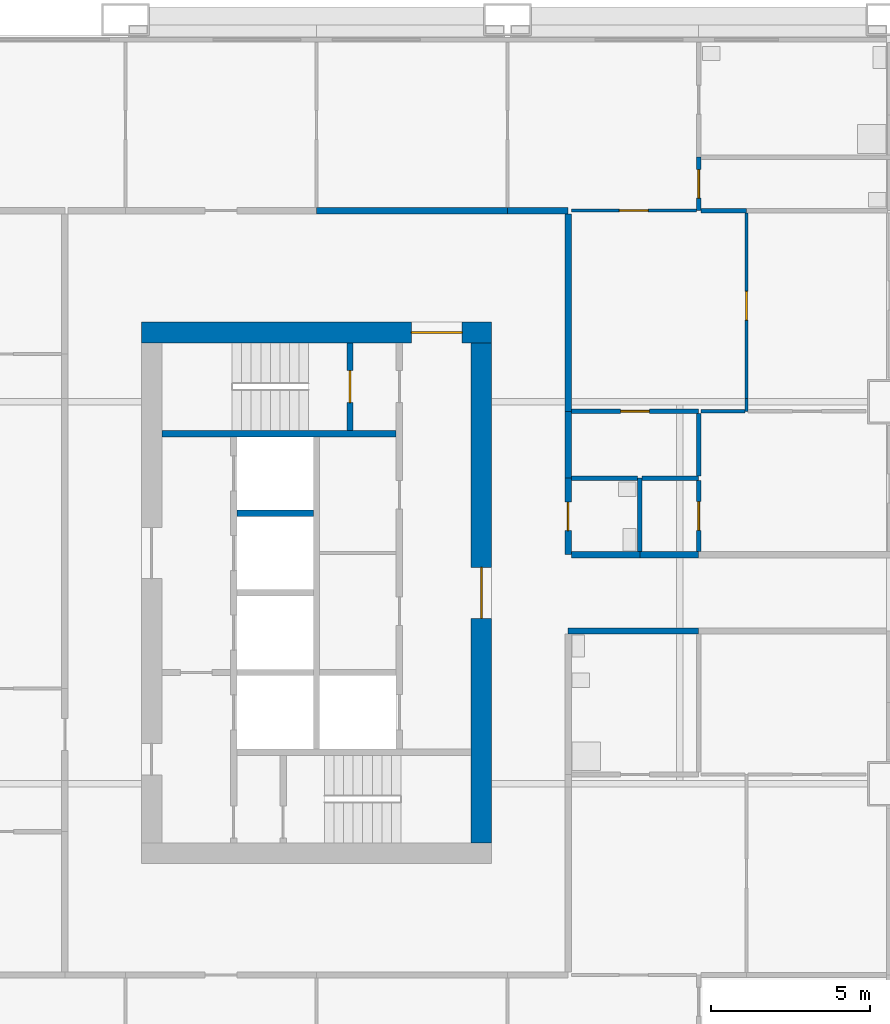
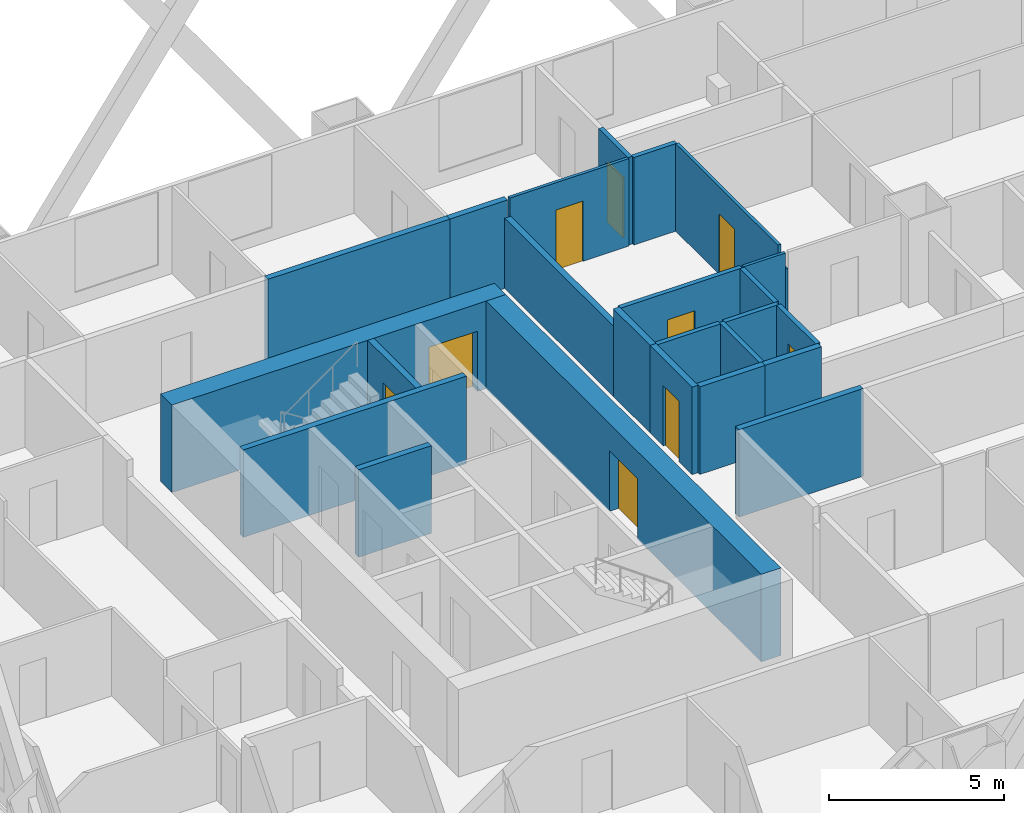
# One storey, part 4 of 11: 25 walls, 9 doors, 9 openings.
"""IFC4 building model written with IfcOpenShell, lengths in metres."""

from ifc_helpers import new_model, si_unit, direction, frame, frame_2d, origin, place, context, subcontext, project, spatial, rectangle, extrude, material, layer, layer_set, type_object, element, fill, save


model = new_model("IFC4")

# Units and contexts
model_context = context("Model", 3, precision=1e-05, world=origin(), true_north=direction((0.0, 1.0)))
body_context = subcontext(model_context, "Body", "Model", "MODEL_VIEW")
ifc_project = project(units=[si_unit("LENGTHUNIT", "METRE"), si_unit("AREAUNIT", "SQUARE_METRE"), si_unit("VOLUMEUNIT", "CUBIC_METRE"), si_unit("PLANEANGLEUNIT", "RADIAN"), si_unit("MASSUNIT", "GRAM", prefix="KILO")], contexts=[model_context])

# Site, building, storey
site_placement = place(None, origin())
site = spatial("IfcSite", under=ifc_project, at=site_placement, CompositionType="ELEMENT")
building_placement = place(site_placement, origin())
building = spatial("IfcBuilding", under=site, at=building_placement, Name="Kitamizu Gate Tower and Museum", CompositionType="ELEMENT")
storey_placement = place(building_placement, frame((0.0, 0.0, 96.60009765625)))
storey = spatial("IfcBuildingStorey", under=building, at=storey_placement, Name="L24", CompositionType="ELEMENT", Elevation=96.60009765625)

# Wall, opening, door
ifc_material_1 = material(Name="Concrete Fc60", Category="concrete")
ifc_layer_1 = layer(ifc_material_1, 0.64990234375)
ifc_layer_set_1 = layer_set([ifc_layer_1], Name="Concrete Fc60")
wall_type_1 = type_object("IfcWallType", Name="Core wall 650", PredefinedType="SHEAR", material=ifc_layer_set_1)
wall_1_placement = place(storey_placement, frame((12.5, 38.175048828125, 0.0), z_axis=(0.0, 0.0, 1.0), x_axis=(1.0, 0.0, 0.0)))
wall_1 = element("IfcWall", 1, at=wall_1_placement, inside=storey, type_object=wall_type_1, Name="Core wall WN", PredefinedType="SHEAR", context=body_context, shape_type="SweptSolid", body=[
    extrude(rectangle(XDim=11.0, YDim=0.64990234375, at=frame_2d((5.5, 0.0))), origin(), (0.0, 0.0, 1.0), 3.0498046875),
])
opening_1_placement = place(wall_1_placement, frame((8.47509765625, 0.0, 0.0)))
opening_1 = element("IfcOpeningElement", 2, at=opening_1_placement, cuts=wall_1, Name="Opening L24-063", PredefinedType="OPENING", context=body_context, shape_type="SweptSolid", body=[
    extrude(rectangle(XDim=1.60009765625, YDim=2.10009765625, at=frame_2d((0.800048828125, 1.050048828125))), frame((0.0, 0.3349609375, 0.0), z_axis=(0.0, -1.0, 0.0), x_axis=(1.0, 0.0, 0.0)), (0.0, 0.0, 1.0), 0.669921875),
])
ifc_material_2 = material(Name="Timber door set", Category="wood")
door_type_1 = type_object("IfcDoorType", Name="Entrance door 1600", OperationType="DOUBLE_DOOR_SINGLE_SWING", PredefinedType="DOOR", material=ifc_material_2)
door_1_placement = place(opening_1_placement, origin())
door_1 = element("IfcDoor", 3, at=door_1_placement, inside=storey, type_object=door_type_1, Name="Lobby door L24-063", OperationType="DOUBLE_DOOR_SINGLE_SWING", OverallHeight=2.10009765625, OverallWidth=1.60009765625, PredefinedType="DOOR", context=body_context, shape_type="SweptSolid", body=[
    extrude(rectangle(XDim=1.60009765625, YDim=2.10009765625, at=frame_2d((0.800048828125, 1.050048828125))), frame((0.0, 0.02490234375, 0.0), z_axis=(0.0, -1.0, 0.0), x_axis=(1.0, 0.0, 0.0)), (0.0, 0.0, 1.0), 0.050048828125),
])
fill(opening_1, door_1)

wall_2_placement = place(storey_placement, frame((23.175048828125, 22.14990234375, 0.0), z_axis=(0.0, 0.0, 1.0), x_axis=(0.0, 1.0, 0.0)))
wall_2 = element("IfcWall", 4, at=wall_2_placement, inside=storey, type_object=wall_type_1, Name="Core wall WARC", PredefinedType="SHEAR", context=body_context, shape_type="SweptSolid", body=[
    extrude(rectangle(XDim=15.7001953125, YDim=0.64990234375, at=frame_2d((7.85009765625, 0.0))), origin(), (0.0, 0.0, 1.0), 3.0498046875),
])
opening_2_placement = place(wall_2_placement, frame((7.050048828125, 0.0, 0.0)))
opening_2 = element("IfcOpeningElement", 5, at=opening_2_placement, cuts=wall_2, Name="Opening L24-064", PredefinedType="OPENING", context=body_context, shape_type="SweptSolid", body=[
    extrude(rectangle(XDim=1.60009765625, YDim=2.10009765625, at=frame_2d((0.800048828125, 1.050048828125))), frame((0.0, 0.3349609375, 0.0), z_axis=(0.0, -1.0, 0.0), x_axis=(1.0, 0.0, 0.0)), (0.0, 0.0, 1.0), 0.669921875),
])
door_2_placement = place(opening_2_placement, origin())
door_2 = element("IfcDoor", 6, at=door_2_placement, inside=storey, type_object=door_type_1, Name="Lobby door L24-064", OperationType="DOUBLE_DOOR_SINGLE_SWING", OverallHeight=2.10009765625, OverallWidth=1.60009765625, PredefinedType="DOOR", context=body_context, shape_type="SweptSolid", body=[
    extrude(rectangle(XDim=1.60009765625, YDim=2.10009765625, at=frame_2d((0.800048828125, 1.050048828125))), frame((0.0, 0.02490234375, 0.0), z_axis=(0.0, -1.0, 0.0), x_axis=(1.0, 0.0, 0.0)), (0.0, 0.0, 1.0), 0.050048828125),
])
fill(opening_2, door_2)

ifc_material_3 = material(Name="Gypsum board on galvanised stud")
ifc_layer_2 = layer(ifc_material_3, 0.10009765625)
ifc_layer_set_2 = layer_set([ifc_layer_2], Name="Gypsum board on galvanised stud")
wall_type_2 = type_object("IfcWallType", Name="Partition 100 NOT RATED", PredefinedType="PARTITIONING", material=ifc_layer_set_2)
wall_3_placement = place(storey_placement, frame((26.0, 42.0, 0.0), z_axis=(0.0, 0.0, 1.0), x_axis=(1.0, 0.0, 0.0)))
wall_3 = element("IfcWall", 7, at=wall_3_placement, inside=storey, type_object=wall_type_2, Name="Partition L24-101", PredefinedType="PARTITIONING", context=body_context, shape_type="SweptSolid", body=[
    extrude(rectangle(XDim=3.925048828125, YDim=0.10009765625, at=frame_2d((1.96240234375, 0.0))), origin(), (0.0, 0.0, 1.0), 3.0498046875),
])
opening_3_placement = place(wall_3_placement, frame((1.512451171875, 0.0, 0.0)))
opening_3 = element("IfcOpeningElement", 8, at=opening_3_placement, cuts=wall_3, Name="Opening L24-042", PredefinedType="OPENING", context=body_context, shape_type="SweptSolid", body=[
    extrude(rectangle(XDim=0.89990234375, YDim=2.10009765625, at=frame_2d((0.449951171875, 1.050048828125))), frame((0.0, 0.06005859375, 0.0), z_axis=(0.0, -1.0, 0.0), x_axis=(1.0, 0.0, 0.0)), (0.0, 0.0, 1.0), 0.1201171875),
])
ifc_material_4 = material(Name="Timber door set", Category="wood")
door_type_2 = type_object("IfcDoorType", Name="Room door 900", OperationType="NOTDEFINED", PredefinedType="DOOR", material=ifc_material_4)
door_3_placement = place(opening_3_placement, origin())
door_3 = element("IfcDoor", 9, at=door_3_placement, inside=storey, type_object=door_type_2, Name="Door L24-042", OperationType="SINGLE_SWING_RIGHT", OverallHeight=2.10009765625, OverallWidth=0.89990234375, PredefinedType="DOOR", context=body_context, shape_type="SweptSolid", body=[
    extrude(rectangle(XDim=0.89990234375, YDim=2.10009765625, at=frame_2d((0.449951171875, 1.050048828125))), frame((0.0, 0.02490234375, 0.0), z_axis=(0.0, -1.0, 0.0), x_axis=(1.0, 0.0, 0.0)), (0.0, 0.0, 1.0), 0.050048828125),
])
fill(opening_3, door_3)

# Wall
wall_4_placement = place(storey_placement, frame((31.5, 35.699951171875, 0.0), z_axis=(0.0, 0.0, 1.0), x_axis=(0.0, 1.0, 0.0)))
element("IfcWall", 10, at=wall_4_placement, inside=storey, type_object=wall_type_2, Name="Partition L24-117", PredefinedType="PARTITIONING", context=body_context, shape_type="SweptSolid", body=[
    extrude(rectangle(XDim=0.400146484375, YDim=0.10009765625, at=frame_2d((0.2001953125, 0.0))), origin(), (0.0, 0.0, 1.0), 2.449951171875),
])

# Wall, opening, door
wall_5_placement = place(storey_placement, frame((31.5, 36.10009765625, 0.0), z_axis=(0.0, 0.0, 1.0), x_axis=(0.0, 1.0, 0.0)))
wall_5 = element("IfcWall", 11, at=wall_5_placement, inside=storey, type_object=wall_type_2, Name="Partition L24-118", PredefinedType="PARTITIONING", context=body_context, shape_type="SweptSolid", body=[
    extrude(rectangle(XDim=5.824951171875, YDim=0.10009765625, at=frame_2d((2.91259765625, 0.0))), origin(), (0.0, 0.0, 1.0), 3.0498046875),
])
opening_4_placement = place(wall_5_placement, frame((2.46240234375, 0.0, 0.0)))
opening_4 = element("IfcOpeningElement", 12, at=opening_4_placement, cuts=wall_5, Name="Opening L24-043", PredefinedType="OPENING", context=body_context, shape_type="SweptSolid", body=[
    extrude(rectangle(XDim=0.89990234375, YDim=2.10009765625, at=frame_2d((0.449951171875, 1.050048828125))), frame((0.0, 0.06005859375, 0.0), z_axis=(0.0, -1.0, 0.0), x_axis=(1.0, 0.0, 0.0)), (0.0, 0.0, 1.0), 0.1201171875),
])
door_4_placement = place(opening_4_placement, frame((0.89990234375, 0.0, 0.0), x_axis=(-1.0, 0.0, 0.0)))
door_4 = element("IfcDoor", 13, at=door_4_placement, inside=storey, type_object=door_type_2, Name="Door L24-043", OperationType="SINGLE_SWING_RIGHT", OverallHeight=2.10009765625, OverallWidth=0.89990234375, PredefinedType="DOOR", context=body_context, shape_type="SweptSolid", body=[
    extrude(rectangle(XDim=0.89990234375, YDim=2.10009765625, at=frame_2d((0.449951171875, 1.050048828125))), frame((0.0, 0.02490234375, 0.0), z_axis=(0.0, -1.0, 0.0), x_axis=(1.0, 0.0, 0.0)), (0.0, 0.0, 1.0), 0.050048828125),
])
fill(opening_4, door_4)

# Wall
wall_6_placement = place(storey_placement, frame((30.074951171875, 35.699951171875, 0.0), z_axis=(0.0, 0.0, 1.0), x_axis=(1.0, 0.0, 0.0)))
element("IfcWall", 14, at=wall_6_placement, inside=storey, type_object=wall_type_2, Name="Partition L24-120", PredefinedType="PARTITIONING", context=body_context, shape_type="SweptSolid", body=[
    extrude(rectangle(XDim=1.375, YDim=0.10009765625, at=frame_2d((0.6875, 0.0))), origin(), (0.0, 0.0, 1.0), 3.0498046875),
])

# Wall, opening, door
ifc_material_5 = material(Name="Gypsum board on galvanised stud")
ifc_layer_3 = layer(ifc_material_5, 0.14990234375)
ifc_layer_set_3 = layer_set([ifc_layer_3], Name="Gypsum board on galvanised stud")
wall_type_3 = type_object("IfcWallType", Name="Partition 150", PredefinedType="PARTITIONING", material=ifc_layer_set_3)
wall_7_placement = place(storey_placement, frame((30.0, 42.0, 0.0), z_axis=(0.0, 0.0, 1.0), x_axis=(0.0, 1.0, 0.0)))
wall_7 = element("IfcWall", 15, at=wall_7_placement, inside=storey, type_object=wall_type_3, Name="Partition L24-100", PredefinedType="PARTITIONING", context=body_context, shape_type="SweptSolid", body=[
    extrude(rectangle(XDim=1.679931640625, YDim=0.14990234375, at=frame_2d((0.83984375, 0.0))), origin(), (0.0, 0.0, 1.0), 3.0498046875),
])
opening_5_placement = place(wall_7_placement, frame((0.389892578125, 0.0, 0.0)))
opening_5 = element("IfcOpeningElement", 16, at=opening_5_placement, cuts=wall_7, Name="Opening L24-041", PredefinedType="OPENING", context=body_context, shape_type="SweptSolid", body=[
    extrude(rectangle(XDim=0.89990234375, YDim=2.10009765625, at=frame_2d((0.449951171875, 1.050048828125))), frame((0.0, 0.0849609375, 0.0), z_axis=(0.0, -1.0, 0.0), x_axis=(1.0, 0.0, 0.0)), (0.0, 0.0, 1.0), 0.169921875),
])
ifc_material_6 = material(Name="Timber door set", Category="wood")
door_type_3 = type_object("IfcDoorType", Name="Bathroom door 900", OperationType="NOTDEFINED", PredefinedType="DOOR", material=ifc_material_6)
door_5_placement = place(opening_5_placement, frame((0.89990234375, 0.0, 0.0), x_axis=(-1.0, 0.0, 0.0)))
door_5 = element("IfcDoor", 17, at=door_5_placement, inside=storey, type_object=door_type_3, Name="Bathroom door L24-041", OperationType="SINGLE_SWING_RIGHT", OverallHeight=2.10009765625, OverallWidth=0.89990234375, PredefinedType="DOOR", context=body_context, shape_type="SweptSolid", body=[
    extrude(rectangle(XDim=0.89990234375, YDim=2.10009765625, at=frame_2d((0.449951171875, 1.050048828125))), frame((0.0, 0.02490234375, 0.0), z_axis=(0.0, -1.0, 0.0), x_axis=(1.0, 0.0, 0.0)), (0.0, 0.0, 1.0), 0.050048828125),
])
fill(opening_5, door_5)

# Wall
wall_8_placement = place(storey_placement, frame((30.074951171875, 42.0, 0.0), z_axis=(0.0, 0.0, 1.0), x_axis=(1.0, 0.0, 0.0)))
element("IfcWall", 18, at=wall_8_placement, inside=storey, type_object=wall_type_3, Name="Partition L24-107", PredefinedType="PARTITIONING", context=body_context, shape_type="SweptSolid", body=[
    extrude(rectangle(XDim=1.425048828125, YDim=0.14990234375, at=frame_2d((0.71240234375, 0.0))), origin(), (0.0, 0.0, 1.0), 3.0498046875),
])

# Wall, opening, door
wall_9_placement = place(storey_placement, frame((26.0, 35.699951171875, 0.0), z_axis=(0.0, 0.0, 1.0), x_axis=(1.0, 0.0, 0.0)))
wall_9 = element("IfcWall", 19, at=wall_9_placement, inside=storey, type_object=wall_type_3, Name="Partition L24-119", PredefinedType="PARTITIONING", context=body_context, shape_type="SweptSolid", body=[
    extrude(rectangle(XDim=4.0, YDim=0.14990234375, at=frame_2d((2.0, 0.0))), origin(), (0.0, 0.0, 1.0), 3.0498046875),
])
opening_6_placement = place(wall_9_placement, frame((1.550048828125, 0.0, 0.0)))
opening_6 = element("IfcOpeningElement", 20, at=opening_6_placement, cuts=wall_9, Name="Opening L24-044", PredefinedType="OPENING", context=body_context, shape_type="SweptSolid", body=[
    extrude(rectangle(XDim=0.89990234375, YDim=2.10009765625, at=frame_2d((0.449951171875, 1.050048828125))), frame((0.0, 0.0849609375, 0.0), z_axis=(0.0, -1.0, 0.0), x_axis=(1.0, 0.0, 0.0)), (0.0, 0.0, 1.0), 0.169921875),
])
door_6_placement = place(opening_6_placement, frame((0.89990234375, 0.0, 0.0), x_axis=(-1.0, 0.0, 0.0)))
door_6 = element("IfcDoor", 21, at=door_6_placement, inside=storey, type_object=door_type_3, Name="Bathroom door L24-044", OperationType="SINGLE_SWING_LEFT", OverallHeight=2.10009765625, OverallWidth=0.89990234375, PredefinedType="DOOR", context=body_context, shape_type="SweptSolid", body=[
    extrude(rectangle(XDim=0.89990234375, YDim=2.10009765625, at=frame_2d((0.449951171875, 1.050048828125))), frame((0.0, 0.02490234375, 0.0), z_axis=(0.0, -1.0, 0.0), x_axis=(1.0, 0.0, 0.0)), (0.0, 0.0, 1.0), 0.050048828125),
])
fill(opening_6, door_6)

# Walls
wall_10_placement = place(storey_placement, frame((28.14990234375, 31.300048828125, 0.0), z_axis=(0.0, 0.0, 1.0), x_axis=(0.0, 1.0, 0.0)))
element("IfcWall", 22, at=wall_10_placement, inside=storey, type_object=wall_type_3, Name="Partition L24-124", PredefinedType="PARTITIONING", context=body_context, shape_type="SweptSolid", body=[
    extrude(rectangle(XDim=2.300048828125, YDim=0.14990234375, at=frame_2d((1.14990234375, 0.0))), origin(), (0.0, 0.0, 1.0), 3.0498046875),
])
wall_11_placement = place(storey_placement, frame((28.074951171875, 33.60009765625, 0.0), z_axis=(0.0, 0.0, 1.0), x_axis=(-1.0, 0.0, 0.0)))
element("IfcWall", 23, at=wall_11_placement, inside=storey, type_object=wall_type_3, Name="Partition L24-125", PredefinedType="PARTITIONING", context=body_context, shape_type="SweptSolid", body=[
    extrude(rectangle(XDim=2.074951171875, YDim=0.14990234375, at=frame_2d((1.03759765625, 0.0))), origin(), (0.0, 0.0, 1.0), 3.0498046875),
])
wall_12_placement = place(storey_placement, frame((30.0, 33.60009765625, 0.0), z_axis=(0.0, 0.0, 1.0), x_axis=(-1.0, 0.0, 0.0)))
element("IfcWall", 24, at=wall_12_placement, inside=storey, type_object=wall_type_3, Name="Partition L24-128", PredefinedType="PARTITIONING", context=body_context, shape_type="SweptSolid", body=[
    extrude(rectangle(XDim=1.77490234375, YDim=0.14990234375, at=frame_2d((0.887451171875, 0.0))), origin(), (0.0, 0.0, 1.0), 3.0498046875),
])

# Wall, opening, door
wall_13_placement = place(storey_placement, frame((30.0, 31.300048828125, 0.0), z_axis=(0.0, 0.0, 1.0), x_axis=(0.0, 1.0, 0.0)))
wall_13 = element("IfcWall", 25, at=wall_13_placement, inside=storey, type_object=wall_type_3, Name="Partition L24-129", PredefinedType="PARTITIONING", context=body_context, shape_type="SweptSolid", body=[
    extrude(rectangle(XDim=2.224853515625, YDim=0.14990234375, at=frame_2d((1.1123046875, 0.0))), origin(), (0.0, 0.0, 1.0), 3.0498046875),
])
opening_7_placement = place(wall_13_placement, frame((0.66259765625, 0.0, 0.0)))
opening_7 = element("IfcOpeningElement", 26, at=opening_7_placement, cuts=wall_13, Name="Opening L24-054", PredefinedType="OPENING", context=body_context, shape_type="SweptSolid", body=[
    extrude(rectangle(XDim=0.89990234375, YDim=2.10009765625, at=frame_2d((0.449951171875, 1.050048828125))), frame((0.0, 0.0849609375, 0.0), z_axis=(0.0, -1.0, 0.0), x_axis=(1.0, 0.0, 0.0)), (0.0, 0.0, 1.0), 0.169921875),
])
door_7_placement = place(opening_7_placement, origin())
door_7 = element("IfcDoor", 27, at=door_7_placement, inside=storey, type_object=door_type_3, Name="Bathroom door L24-054", OperationType="SINGLE_SWING_RIGHT", OverallHeight=2.10009765625, OverallWidth=0.89990234375, PredefinedType="DOOR", context=body_context, shape_type="SweptSolid", body=[
    extrude(rectangle(XDim=0.89990234375, YDim=2.10009765625, at=frame_2d((0.449951171875, 1.050048828125))), frame((0.0, 0.02490234375, 0.0), z_axis=(0.0, -1.0, 0.0), x_axis=(1.0, 0.0, 0.0)), (0.0, 0.0, 1.0), 0.050048828125),
])
fill(opening_7, door_7)

# Walls
wall_14_placement = place(storey_placement, frame((30.0, 33.675048828125, 0.0), z_axis=(0.0, 0.0, 1.0), x_axis=(0.0, 1.0, 0.0)))
element("IfcWall", 28, at=wall_14_placement, inside=storey, type_object=wall_type_3, Name="Partition L24-131", PredefinedType="PARTITIONING", context=body_context, shape_type="SweptSolid", body=[
    extrude(rectangle(XDim=1.949951171875, YDim=0.14990234375, at=frame_2d((0.97509765625, 0.0))), origin(), (0.0, 0.0, 1.0), 3.0498046875),
])
ifc_material_7 = material(Name="Gypsum board on galvanised stud")
ifc_layer_4 = layer(ifc_material_7, 0.199951171875)
ifc_layer_set_4 = layer_set([ifc_layer_4], Name="Gypsum board on galvanised stud")
wall_type_4 = type_object("IfcWallType", Name="Partition 200", PredefinedType="PARTITIONING", material=ifc_layer_set_4)
wall_15_placement = place(storey_placement, frame((30.0, 28.800048828125, 0.0), z_axis=(0.0, 0.0, 1.0), x_axis=(-1.0, 0.0, 0.0)))
element("IfcWall", 29, at=wall_15_placement, inside=storey, type_object=wall_type_4, Name="Partition L24-025", PredefinedType="PARTITIONING", context=body_context, shape_type="SweptSolid", body=[
    extrude(rectangle(XDim=4.10009765625, YDim=0.199951171875, at=frame_2d((2.050048828125, 0.0))), origin(), (0.0, 0.0, 1.0), 3.0498046875),
])
wall_16_placement = place(storey_placement, frame((18.0, 42.0, 0.0), z_axis=(0.0, 0.0, 1.0), x_axis=(1.0, 0.0, 0.0)))
element("IfcWall", 30, at=wall_16_placement, inside=storey, type_object=wall_type_4, Name="Partition L24-098", PredefinedType="PARTITIONING", context=body_context, shape_type="SweptSolid", body=[
    extrude(rectangle(XDim=6.0, YDim=0.199951171875, at=frame_2d((3.0, 0.0))), origin(), (0.0, 0.0, 1.0), 3.0498046875),
])
wall_17_placement = place(storey_placement, frame((24.0, 42.0, 0.0), z_axis=(0.0, 0.0, 1.0), x_axis=(1.0, 0.0, 0.0)))
element("IfcWall", 31, at=wall_17_placement, inside=storey, type_object=wall_type_4, Name="Partition L24-102", PredefinedType="PARTITIONING", context=body_context, shape_type="SweptSolid", body=[
    extrude(rectangle(XDim=1.89990234375, YDim=0.199951171875, at=frame_2d((0.949951171875, 0.0))), origin(), (0.0, 0.0, 1.0), 3.0498046875),
])
wall_18_placement = place(storey_placement, frame((25.89990234375, 41.89990234375, 0.0), z_axis=(0.0, 0.0, 1.0), x_axis=(0.0, -1.0, 0.0)))
element("IfcWall", 32, at=wall_18_placement, inside=storey, type_object=wall_type_4, Name="Partition L24-121", PredefinedType="PARTITIONING", context=body_context, shape_type="SweptSolid", body=[
    extrude(rectangle(XDim=6.199951171875, YDim=0.199951171875, at=frame_2d((3.10009765625, 0.0))), origin(), (0.0, 0.0, 1.0), 2.449951171875),
])

# Wall, opening, door
wall_19_placement = place(storey_placement, frame((25.89990234375, 33.60009765625, 0.0), z_axis=(0.0, 0.0, 1.0), x_axis=(0.0, -1.0, 0.0)))
wall_19 = element("IfcWall", 33, at=wall_19_placement, inside=storey, type_object=wall_type_4, Name="Partition L24-126", PredefinedType="PARTITIONING", context=body_context, shape_type="SweptSolid", body=[
    extrude(rectangle(XDim=2.400146484375, YDim=0.199951171875, at=frame_2d((1.2001953125, 0.0))), origin(), (0.0, 0.0, 1.0), 3.0498046875),
])
opening_8_placement = place(wall_19_placement, frame((0.75, 0.0, 0.0)))
opening_8 = element("IfcOpeningElement", 34, at=opening_8_placement, cuts=wall_19, Name="Opening L24-055", PredefinedType="OPENING", context=body_context, shape_type="SweptSolid", body=[
    extrude(rectangle(XDim=0.89990234375, YDim=2.10009765625, at=frame_2d((0.449951171875, 1.050048828125))), frame((0.0, 0.10986328125, 0.0), z_axis=(0.0, -1.0, 0.0), x_axis=(1.0, 0.0, 0.0)), (0.0, 0.0, 1.0), 0.219970703125),
])
ifc_material_8 = material(Name="Timber door set", Category="wood")
door_type_4 = type_object("IfcDoorType", Name="Store door 900", OperationType="NOTDEFINED", PredefinedType="DOOR", material=ifc_material_8)
door_8_placement = place(opening_8_placement, origin())
door_8 = element("IfcDoor", 35, at=door_8_placement, inside=storey, type_object=door_type_4, Name="Service entrance door L24-055", OperationType="SINGLE_SWING_LEFT", OverallHeight=2.10009765625, OverallWidth=0.89990234375, PredefinedType="DOOR", context=body_context, shape_type="SweptSolid", body=[
    extrude(rectangle(XDim=0.89990234375, YDim=2.10009765625, at=frame_2d((0.449951171875, 1.050048828125))), frame((0.0, 0.02490234375, 0.0), z_axis=(0.0, -1.0, 0.0), x_axis=(1.0, 0.0, 0.0)), (0.0, 0.0, 1.0), 0.050048828125),
])
fill(opening_8, door_8)

# Walls
wall_20_placement = place(storey_placement, frame((26.0, 31.199951171875, 0.0), z_axis=(0.0, 0.0, 1.0), x_axis=(1.0, 0.0, 0.0)))
element("IfcWall", 36, at=wall_20_placement, inside=storey, type_object=wall_type_4, Name="Partition L24-127", PredefinedType="PARTITIONING", context=body_context, shape_type="SweptSolid", body=[
    extrude(rectangle(XDim=2.14990234375, YDim=0.199951171875, at=frame_2d((1.074951171875, 0.0))), origin(), (0.0, 0.0, 1.0), 3.0498046875),
])
wall_21_placement = place(storey_placement, frame((28.14990234375, 31.199951171875, 0.0), z_axis=(0.0, 0.0, 1.0), x_axis=(1.0, 0.0, 0.0)))
element("IfcWall", 37, at=wall_21_placement, inside=storey, type_object=wall_type_4, Name="Partition L24-130", PredefinedType="PARTITIONING", context=body_context, shape_type="SweptSolid", body=[
    extrude(rectangle(XDim=1.85009765625, YDim=0.199951171875, at=frame_2d((0.925048828125, 0.0))), origin(), (0.0, 0.0, 1.0), 3.0498046875),
])
wall_22_placement = place(storey_placement, frame((25.89990234375, 35.699951171875, 0.0), z_axis=(0.0, 0.0, 1.0), x_axis=(0.0, -1.0, 0.0)))
element("IfcWall", 38, at=wall_22_placement, inside=storey, type_object=wall_type_4, Name="Partition L24-132", PredefinedType="PARTITIONING", context=body_context, shape_type="SweptSolid", body=[
    extrude(rectangle(XDim=2.099853515625, YDim=0.199951171875, at=frame_2d((1.0498046875, 0.0))), origin(), (0.0, 0.0, 1.0), 3.0498046875),
])
ifc_material_9 = material(Name="Concrete Fc42", Category="concrete")
ifc_layer_5 = layer(ifc_material_9, 0.199951171875)
ifc_layer_set_5 = layer_set([ifc_layer_5], Name="Concrete Fc42")
wall_type_5 = type_object("IfcWallType", Name="Shaft wall 200", PredefinedType="SOLIDWALL", material=ifc_layer_set_5)
wall_23_placement = place(storey_placement, frame((13.14990234375, 35.0, 0.0), z_axis=(0.0, 0.0, 1.0), x_axis=(1.0, 0.0, 0.0)))
element("IfcWall", 39, at=wall_23_placement, inside=storey, type_object=wall_type_5, Name="Shaft wall WNB", PredefinedType="SOLIDWALL", context=body_context, shape_type="SweptSolid", body=[
    extrude(rectangle(XDim=7.35009765625, YDim=0.199951171875, at=frame_2d((3.675048828125, 0.0))), origin(), (0.0, 0.0, 1.0), 3.0498046875),
])

# Wall, opening, door
wall_24_placement = place(storey_placement, frame((19.050048828125, 35.10009765625, 0.0), z_axis=(0.0, 0.0, 1.0), x_axis=(0.0, 1.0, 0.0)))
wall_24 = element("IfcWall", 40, at=wall_24_placement, inside=storey, type_object=wall_type_5, Name="Shaft wall WNZ", PredefinedType="SOLIDWALL", context=body_context, shape_type="SweptSolid", body=[
    extrude(rectangle(XDim=2.75, YDim=0.199951171875, at=frame_2d((1.375, 0.0))), origin(), (0.0, 0.0, 1.0), 3.0498046875),
])
opening_9_placement = place(wall_24_placement, frame((0.875, 0.0, 0.0)))
opening_9 = element("IfcOpeningElement", 41, at=opening_9_placement, cuts=wall_24, Name="Opening L24-059", PredefinedType="OPENING", context=body_context, shape_type="SweptSolid", body=[
    extrude(rectangle(XDim=1.0, YDim=2.10009765625, at=frame_2d((0.5, 1.050048828125))), frame((0.0, 0.10986328125, 0.0), z_axis=(0.0, -1.0, 0.0), x_axis=(1.0, 0.0, 0.0)), (0.0, 0.0, 1.0), 0.219970703125),
])
ifc_material_10 = material(Name="Hollow metal door set")
door_type_5 = type_object("IfcDoorType", Name="Fire door 1000", OperationType="NOTDEFINED", PredefinedType="DOOR", material=ifc_material_10)
door_9_placement = place(opening_9_placement, origin())
door_9 = element("IfcDoor", 42, at=door_9_placement, inside=storey, type_object=door_type_5, Name="Stair door L24-059", OperationType="SINGLE_SWING_LEFT", OverallHeight=2.10009765625, OverallWidth=1.0, PredefinedType="DOOR", context=body_context, shape_type="SweptSolid", body=[
    extrude(rectangle(XDim=1.0, YDim=2.10009765625, at=frame_2d((0.5, 1.050048828125))), frame((0.0, 0.02490234375, 0.0), z_axis=(0.0, -1.0, 0.0), x_axis=(1.0, 0.0, 0.0)), (0.0, 0.0, 1.0), 0.050048828125),
])
fill(opening_9, door_9)

# Wall
wall_25_placement = place(storey_placement, frame((15.5, 32.5, 0.0), z_axis=(0.0, 0.0, 1.0), x_axis=(1.0, 0.0, 0.0)))
element("IfcWall", 43, at=wall_25_placement, inside=storey, type_object=wall_type_5, Name="Shaft wall WDVW2", PredefinedType="SOLIDWALL", context=body_context, shape_type="SweptSolid", body=[
    extrude(rectangle(XDim=2.39990234375, YDim=0.199951171875, at=frame_2d((1.199951171875, 0.0))), origin(), (0.0, 0.0, 1.0), 3.0498046875),
])

save(model, "model.ifc")
